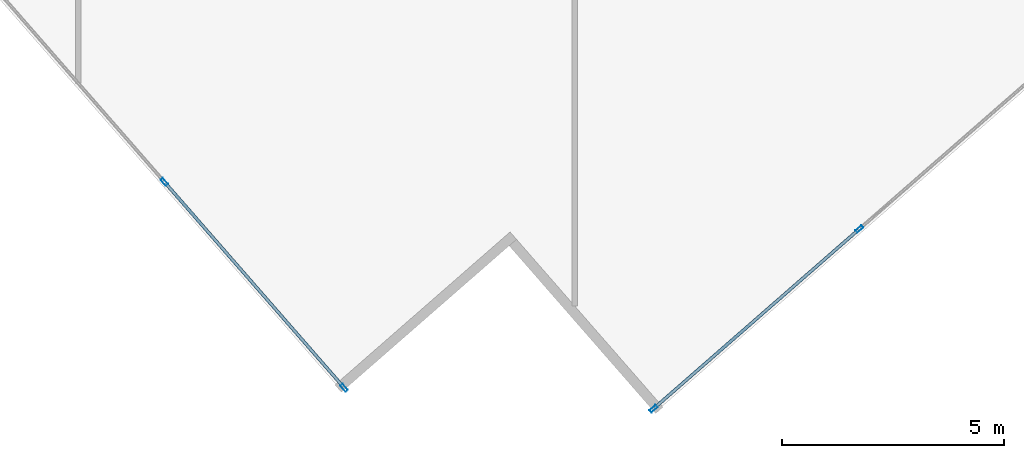
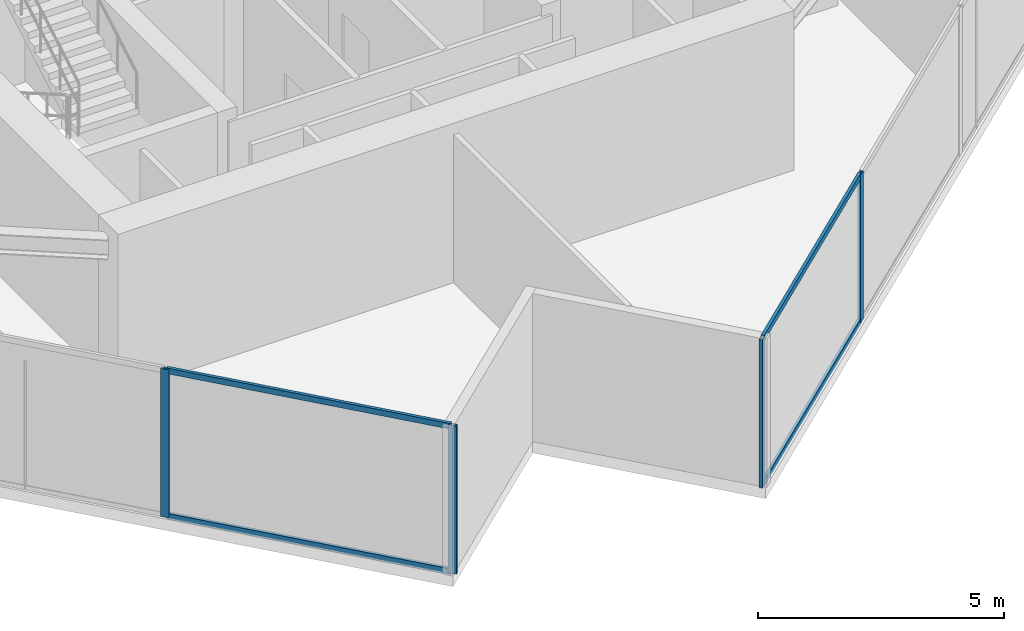
# One storey, part 3 of 24: 8 members, 2 elements without a shape of their own.
"""IFC4 building model written with IfcOpenShell, lengths in metres."""

from ifc_helpers import new_model, si_unit, direction, frame, origin, origin_2d, place, context, subcontext, project, spatial, hollow_rectangle, extrude, source, transform, mapped, material, material_profile, profile_set, type_object, type_shapes, element, aggregate, save


model = new_model("IFC4")

# Units and contexts
model_context = context("Model", 3, precision=1e-05, world=origin(), true_north=direction((0.0, 1.0)))
body_context = subcontext(model_context, "Body", "Model", "MODEL_VIEW")
ifc_project = project(units=[si_unit("LENGTHUNIT", "METRE"), si_unit("AREAUNIT", "SQUARE_METRE"), si_unit("VOLUMEUNIT", "CUBIC_METRE"), si_unit("PLANEANGLEUNIT", "RADIAN"), si_unit("MASSUNIT", "GRAM", prefix="KILO")], contexts=[model_context])

# Site, building, storey
site_placement = place(None, origin())
site = spatial("IfcSite", under=ifc_project, at=site_placement, CompositionType="ELEMENT")
building_placement = place(site_placement, origin())
building = spatial("IfcBuilding", under=site, at=building_placement, Name="Krantzveldt Concourse Tower", CompositionType="ELEMENT")
storey_placement = place(building_placement, frame((0.0, 0.0, 254.699951171875)))
storey = spatial("IfcBuildingStorey", under=building, at=storey_placement, Name="L62", CompositionType="ELEMENT", Elevation=254.699951171875)

# Curtain wall, members
ifc_material = material(Name="Anodised aluminium 6063-T6", Category="aluminium")
curtain_wall_type = type_object("IfcCurtainWallType", Name="CW3", PredefinedType="USERDEFINED", material=ifc_material)
curtain_wall_1_placement = place(storey_placement, origin())
curtain_wall_1 = element("IfcCurtainWall", 1, at=curtain_wall_1_placement, inside=storey, type_object=curtain_wall_type, Name="CW-L62-F04", ObjectType="UNITISED CURTAIN WALL", PredefinedType="USERDEFINED")
ifc_material_profile_1 = material_profile(ifc_material, hollow_rectangle(XDim=0.070068359375, YDim=0.179931640625, WallThickness=0.0048828125, at=origin_2d()), Name="Anodised aluminium 6063-T6", Category="aluminium")
ifc_profile_set_1 = profile_set([ifc_material_profile_1], Name="Anodised aluminium 6063-T6 - ALU-MULL 180x70x5")
member_type_1 = type_object("IfcMemberType", Name="CW-MUL-180", PredefinedType="MULLION", material=ifc_profile_set_1)
shared_shape_1 = source(origin(), body_context, "Body", "SweptSolid", [
    extrude(hollow_rectangle(XDim=0.070068359375, YDim=0.179931640625, WallThickness=0.0048828125, at=origin_2d()), origin(), (0.0, 0.0, 1.0), 3.670166015625),
])
type_shapes(member_type_1, [shared_shape_1])
member_1_placement = place(storey_placement, frame((26.7421875, 6.270751953125, 0.0), z_axis=(0.0, 0.0, 1.0), x_axis=(0.753276529034, 0.657703938567, 0.0)))
member_1 = element("IfcMember", 2, at=member_1_placement, type_object=member_type_1, Name="CW-Z34 mullion 5", PredefinedType="MULLION", context=body_context, shape_type="MappedRepresentation", body=[
    mapped(shared_shape_1, transform((0.0, 0.0, 0.0), x_axis=(1.0, 0.0, 0.0), y_axis=(0.0, 1.0, 0.0), z_axis=(0.0, 0.0, 1.0), scale=1.0)),
])
member_2_placement = place(storey_placement, frame((30.797119140625, 1.626953125, 0.0), z_axis=(0.0, 0.0, 1.0), x_axis=(0.753276529034, 0.657703938567, 0.0)))
member_2 = element("IfcMember", 3, at=member_2_placement, type_object=member_type_1, Name="CW-Z34 mullion 6", PredefinedType="MULLION", context=body_context, shape_type="MappedRepresentation", body=[
    mapped(shared_shape_1, transform((0.0, 0.0, 0.0), x_axis=(1.0, 0.0, 0.0), y_axis=(0.0, 1.0, 0.0), z_axis=(0.0, 0.0, 1.0), scale=1.0)),
])

curtain_wall_2_placement = place(storey_placement, origin())
curtain_wall_2 = element("IfcCurtainWall", 4, at=curtain_wall_2_placement, inside=storey, type_object=curtain_wall_type, Name="CW-L62-F07", ObjectType="UNITISED CURTAIN WALL", PredefinedType="USERDEFINED")
member_3_placement = place(storey_placement, frame((37.7744140625, 1.154296875, 0.0), z_axis=(0.0, 0.0, 1.0), x_axis=(-0.657703938567, 0.753276529034, 0.0)))
member_3 = element("IfcMember", 5, at=member_3_placement, type_object=member_type_1, Name="CW-Z34 mullion 1", PredefinedType="MULLION", context=body_context, shape_type="MappedRepresentation", body=[
    mapped(shared_shape_1, transform((0.0, 0.0, 0.0), x_axis=(1.0, 0.0, 0.0), y_axis=(0.0, 1.0, 0.0), z_axis=(0.0, 0.0, 1.0), scale=1.0)),
])
member_4_placement = place(storey_placement, frame((42.418212890625, 5.208984375, 0.0), z_axis=(0.0, 0.0, 1.0), x_axis=(-0.657703938567, 0.753276529034, 0.0)))
member_4 = element("IfcMember", 6, at=member_4_placement, type_object=member_type_1, Name="CW-Z34 mullion 2", PredefinedType="MULLION", context=body_context, shape_type="MappedRepresentation", body=[
    mapped(shared_shape_1, transform((0.0, 0.0, 0.0), x_axis=(1.0, 0.0, 0.0), y_axis=(0.0, 1.0, 0.0), z_axis=(0.0, 0.0, 1.0), scale=1.0)),
])
ifc_material_profile_2 = material_profile(ifc_material, hollow_rectangle(XDim=0.070068359375, YDim=0.139892578125, WallThickness=0.0048828125, at=origin_2d()), Name="Anodised aluminium 6063-T6", Category="aluminium")
ifc_profile_set_2 = profile_set([ifc_material_profile_2], Name="Anodised aluminium 6063-T6 - ALU-TRAN 140x70x5")
member_type_2 = type_object("IfcMemberType", Name="CW-TRN-150", PredefinedType="USERDEFINED", material=ifc_profile_set_2)
shared_shape_2 = source(origin(), body_context, "Body", "SweptSolid", [
    extrude(hollow_rectangle(XDim=0.070068359375, YDim=0.139892578125, WallThickness=0.0048828125, at=origin_2d()), origin(), (0.0, 0.0, 1.0), 6.094970703125),
])
member_5_placement = place(storey_placement, frame((37.80078125, 1.17724609375, 0.03515625), z_axis=(0.753258665615, 0.657724397203, 0.0), x_axis=(-0.657724397203, 0.753258665615, 0.0)))
member_5 = element("IfcMember", 7, at=member_5_placement, type_object=member_type_2, Name="CW-Z34 transom 1.1", ObjectType="TRANSOM", PredefinedType="USERDEFINED", context=body_context, shape_type="MappedRepresentation", body=[
    mapped(shared_shape_2, transform((0.0, 0.0, 0.0), x_axis=(1.0, 0.0, 0.0), y_axis=(0.0, 1.0, 0.0), z_axis=(0.0, 0.0, 1.0), scale=1.0)),
])
member_6_placement = place(storey_placement, frame((37.80078125, 1.17724609375, 3.635009765625), z_axis=(0.753258665615, 0.657724397203, 0.0), x_axis=(-0.657724397203, 0.753258665615, 0.0)))
member_6 = element("IfcMember", 8, at=member_6_placement, type_object=member_type_2, Name="CW-Z34 transom 1.2", ObjectType="TRANSOM", PredefinedType="USERDEFINED", context=body_context, shape_type="MappedRepresentation", body=[
    mapped(shared_shape_2, transform((0.0, 0.0, 0.0), x_axis=(1.0, 0.0, 0.0), y_axis=(0.0, 1.0, 0.0), z_axis=(0.0, 0.0, 1.0), scale=1.0)),
])
aggregate(curtain_wall_2, [member_3, member_4, member_5, member_6])

# Member
shared_shape_3 = source(origin(), body_context, "Body", "SweptSolid", [
    extrude(hollow_rectangle(XDim=0.070068359375, YDim=0.139892578125, WallThickness=0.0048828125, at=origin_2d()), origin(), (0.0, 0.0, 1.0), 6.0947265625),
])
type_shapes(member_type_2, [shared_shape_2, shared_shape_3])
member_7_placement = place(storey_placement, frame((26.765380859375, 6.244384765625, 0.03515625), z_axis=(0.657701668417, -0.753278511151, 0.0), x_axis=(0.753278511151, 0.657701668417, 0.0)))
member_7 = element("IfcMember", 9, at=member_7_placement, type_object=member_type_2, Name="CW-Z34 transom 5.1", ObjectType="TRANSOM", PredefinedType="USERDEFINED", context=body_context, shape_type="MappedRepresentation", body=[
    mapped(shared_shape_3, transform((0.0, 0.0, 0.0), x_axis=(1.0, 0.0, 0.0), y_axis=(0.0, 1.0, 0.0), z_axis=(0.0, 0.0, 1.0), scale=1.0)),
])

member_8_placement = place(storey_placement, frame((26.765380859375, 6.244384765625, 3.635009765625), z_axis=(0.657701668417, -0.753278511151, 0.0), x_axis=(0.753278511151, 0.657701668417, 0.0)))
member_8 = element("IfcMember", 10, at=member_8_placement, type_object=member_type_2, Name="CW-Z34 transom 5.2", ObjectType="TRANSOM", PredefinedType="USERDEFINED", context=body_context, shape_type="MappedRepresentation", body=[
    mapped(shared_shape_3, transform((0.0, 0.0, 0.0), x_axis=(1.0, 0.0, 0.0), y_axis=(0.0, 1.0, 0.0), z_axis=(0.0, 0.0, 1.0), scale=1.0)),
])

aggregate(curtain_wall_1, [member_1, member_2, member_7, member_8])

save(model, "model.ifc")
